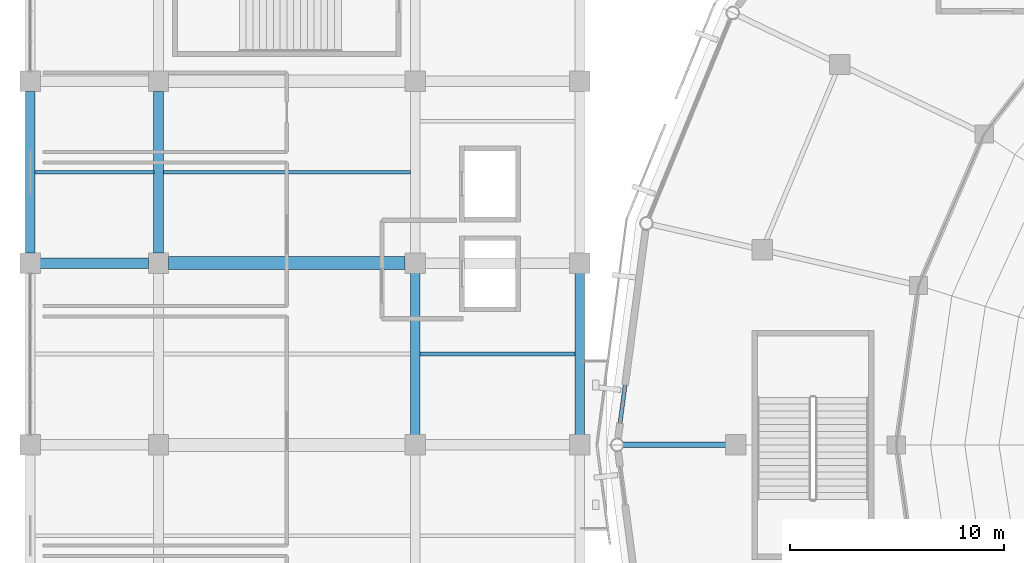
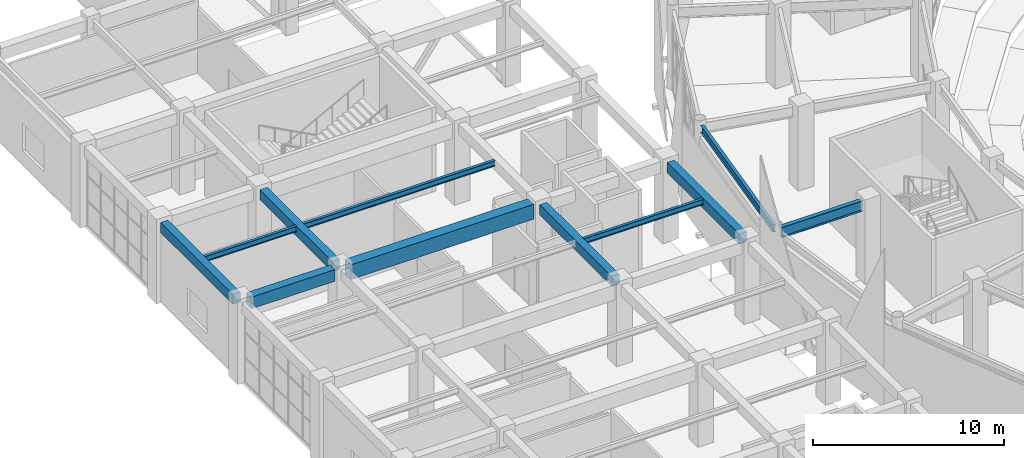
# One storey, part 32 of 120: 11 beams.
"""IFC4 building model written with IfcOpenShell, lengths in metres."""

from ifc_helpers import new_model, si_unit, direction, frame, origin, origin_2d, place, context, subcontext, project, spatial, rectangle, i_section, extrude, material, material_profile, profile_set, type_object, element, save


model = new_model("IFC4")

# Units and contexts
model_context = context("Model", 3, precision=1e-05, world=origin(), true_north=direction((0.0, 1.0)))
body_context = subcontext(model_context, "Body", "Model", "MODEL_VIEW")
ifc_project = project(units=[si_unit("LENGTHUNIT", "METRE"), si_unit("AREAUNIT", "SQUARE_METRE"), si_unit("VOLUMEUNIT", "CUBIC_METRE"), si_unit("PLANEANGLEUNIT", "RADIAN"), si_unit("MASSUNIT", "GRAM", prefix="KILO")], contexts=[model_context])

# Site, building, storey
site_placement = place(None, origin())
site = spatial("IfcSite", under=ifc_project, at=site_placement, CompositionType="ELEMENT")
building_placement = place(site_placement, origin())
building = spatial("IfcBuilding", under=site, at=building_placement, Name="Cuetzalor Civic Arena", CompositionType="ELEMENT")
storey_placement = place(building_placement, frame((0.0, 0.0, 6.0)))
storey = spatial("IfcBuildingStorey", under=building, at=storey_placement, Name="L01", CompositionType="ELEMENT", Elevation=6.0)

# Beams
ifc_material_1 = material(Name="Concrete C40/50", Category="concrete")
ifc_material_profile_1 = material_profile(ifc_material_1, rectangle(XDim=0.5, YDim=0.75, at=origin_2d()), Name="RC 500x750")
ifc_profile_set_1 = profile_set([ifc_material_profile_1], Name="Concrete C40/50")
beam_type_1 = type_object("IfcBeamType", Name="ConcreteFrameBeam_500x750", PredefinedType="BEAM", material=ifc_profile_set_1)
beam_1_placement = place(storey_placement, frame((-81.534912109375, 8.5, 4.7451171875), z_axis=(1.0, 0.0, 0.0), x_axis=(0.0, 1.0, 0.0)))
element("IfcBeam", 1, at=beam_1_placement, inside=storey, type_object=beam_type_1, Name="Frame Girder V4W-L01-X0369", PredefinedType="BEAM", context=body_context, shape_type="SweptSolid", body=[
    extrude(rectangle(XDim=0.5, YDim=0.75, at=origin_2d()), origin(), (0.0, 0.0, 1.0), 5.06982421875),
])
ifc_material_2 = material(Name="Concrete C40/50", Category="concrete")
ifc_material_profile_2 = material_profile(ifc_material_2, rectangle(XDim=0.60009765625, YDim=0.949951171875, at=origin_2d()), Name="RC 600x950")
ifc_profile_set_2 = profile_set([ifc_material_profile_2], Name="Concrete C40/50")
beam_type_2 = type_object("IfcBeamType", Name="ConcreteFrameBeam_600x950", PredefinedType="BEAM", material=ifc_profile_set_2)
beam_2_placement = place(storey_placement, frame((-75.534912109375, 8.5, 4.64501953125), z_axis=(1.0, 0.0, 0.0), x_axis=(0.0, 1.0, 0.0)))
element("IfcBeam", 2, at=beam_2_placement, inside=storey, type_object=beam_type_2, Name="Frame Girder V4W-L01-X0370", PredefinedType="BEAM", context=body_context, shape_type="SweptSolid", body=[
    extrude(rectangle(XDim=0.60009765625, YDim=0.949951171875, at=origin_2d()), origin(), (0.0, 0.0, 1.0), 11.06982421875),
])
ifc_material_3 = material(Name="Concrete C40/50", Category="concrete")
ifc_material_profile_3 = material_profile(ifc_material_3, rectangle(XDim=0.449951171875, YDim=0.64990234375, at=origin_2d()), Name="RC 450x650")
ifc_profile_set_3 = profile_set([ifc_material_profile_3], Name="Concrete C40/50")
beam_type_3 = type_object("IfcBeamType", Name="ConcreteTieBeam_450x650", PredefinedType="BEAM", material=ifc_profile_set_3)
for number, where, z_axis, x_axis, name in (
    (3, (-82.0, 8.965087890625, 4.794921875), (0.0, 1.0, 0.0), (-1.0, 0.0, 0.0), "Frame Girder V4W-L01-Y0388"),
    (4, (-76.0, 8.965087890625, 4.794921875), (0.0, 1.0, 0.0), (-1.0, 0.0, 0.0), "Frame Girder V4W-L01-Y0398"),
    (5, (-64.0, 0.465087890625, 4.794921875), (0.0, 1.0, 0.0), (-1.0, 0.0, 0.0), "Frame Girder V4W-L01-Y0407"),
    (6, (-56.300048828125, 0.465087890625, 4.794921875), (0.0, 1.0, 0.0), (-1.0, 0.0, 0.0), "Frame Girder V4W-L01-Y0417"),
):
    element("IfcBeam", number, at=place(storey_placement, frame(where, z_axis=z_axis, x_axis=x_axis)), inside=storey, type_object=beam_type_3, Name=name, PredefinedType="BEAM", context=body_context, shape_type="SweptSolid", body=[
        extrude(rectangle(XDim=0.449951171875, YDim=0.64990234375, at=origin_2d()), origin(), (0.0, 0.0, 1.0), 7.56982421875),
    ])
ifc_material_4 = material(Name="Steel S355", Category="steel")
ifc_material_profile_4 = material_profile(ifc_material_4, i_section(OverallWidth=0.18994140625, OverallDepth=0.45703125, WebThickness=0.009033203125, FlangeThickness=0.014404296875, at=origin_2d()), Name="W460x74")
ifc_profile_set_4 = profile_set([ifc_material_profile_4], Name="Steel S355")
beam_type_4 = type_object("IfcBeamType", Name="FacadeSpandrelBeam_W460", PredefinedType="SPANDREL", material=ifc_profile_set_4)
beam_3_placement = place(storey_placement, frame((-53.22021484375, 10.07080078125, 4.8916015625), z_axis=(-0.130901206694, -0.991395417624, 0.0), x_axis=(0.991395417624, -0.130901206694, 0.0)))
element("IfcBeam", 7, at=beam_3_placement, inside=storey, type_object=beam_type_4, Name="Drum Perimeter Spandrel L01-S14", PredefinedType="SPANDREL", context=body_context, shape_type="SweptSolid", body=[
    extrude(i_section(OverallWidth=0.18994140625, OverallDepth=0.45703125, WebThickness=0.009033203125, FlangeThickness=0.014404296875, at=origin_2d()), origin(), (0.0, 0.0, 1.0), 9.8681640625),
])
ifc_material_5 = material(Name="Steel S355", Category="steel")
ifc_material_profile_5 = material_profile(ifc_material_5, i_section(OverallWidth=0.1708984375, OverallDepth=0.35498046875, WebThickness=0.007080078125, FlangeThickness=0.01171875, at=origin_2d()), Name="W360x51")
ifc_profile_set_5 = profile_set([ifc_material_profile_5], Name="Steel S355")
beam_type_5 = type_object("IfcBeamType", Name="SecondaryFloorJoist_W360", PredefinedType="JOIST", material=ifc_profile_set_5)
beam_4_placement = place(storey_placement, frame((-81.782958984375, 12.75, 4.9423828125), z_axis=(1.0, 0.0, 0.0), x_axis=(0.0, 1.0, 0.0)))
element("IfcBeam", 8, at=beam_4_placement, inside=storey, type_object=beam_type_5, Name="Secondary Floor Joist V4W-L01-0112", PredefinedType="JOIST", context=body_context, shape_type="SweptSolid", body=[
    extrude(i_section(OverallWidth=0.1708984375, OverallDepth=0.35498046875, WebThickness=0.007080078125, FlangeThickness=0.01171875, at=origin_2d()), origin(), (0.0, 0.0, 1.0), 5.56591796875),
])
beam_5_placement = place(storey_placement, frame((-75.782958984375, 12.75, 4.9423828125), z_axis=(1.0, 0.0, 0.0), x_axis=(0.0, 1.0, 0.0)))
element("IfcBeam", 9, at=beam_5_placement, inside=storey, type_object=beam_type_5, Name="Secondary Floor Joist V4W-L01-0120", PredefinedType="JOIST", context=body_context, shape_type="SweptSolid", body=[
    extrude(i_section(OverallWidth=0.1708984375, OverallDepth=0.35498046875, WebThickness=0.007080078125, FlangeThickness=0.01171875, at=origin_2d()), origin(), (0.0, 0.0, 1.0), 11.56591796875),
])
beam_6_placement = place(storey_placement, frame((-63.782958984375, 4.25, 4.9423828125), z_axis=(1.0, 0.0, 0.0), x_axis=(0.0, 1.0, 0.0)))
element("IfcBeam", 10, at=beam_6_placement, inside=storey, type_object=beam_type_5, Name="Secondary Floor Joist V4W-L01-0127", PredefinedType="JOIST", context=body_context, shape_type="SweptSolid", body=[
    extrude(i_section(OverallWidth=0.1708984375, OverallDepth=0.35498046875, WebThickness=0.007080078125, FlangeThickness=0.01171875, at=origin_2d()), origin(), (0.0, 0.0, 1.0), 7.265869140625),
])
ifc_material_6 = material(Name="Steel S355", Category="steel")
ifc_material_profile_6 = material_profile(ifc_material_6, i_section(OverallWidth=0.2529296875, OverallDepth=0.677978515625, WebThickness=0.01171875, FlangeThickness=0.016357421875, at=origin_2d()), Name="W690x125")
ifc_profile_set_6 = profile_set([ifc_material_profile_6], Name="Steel S355")
beam_type_6 = type_object("IfcBeamType", Name="SteelPrimaryGirder_W690", PredefinedType="BEAM", material=ifc_profile_set_6)
beam_7_placement = place(storey_placement, frame((-49.360107421875, 0.0, 4.781005859375), z_axis=(-1.0, 0.0, 0.0), x_axis=(0.0, -1.0, 0.0)))
element("IfcBeam", 11, at=beam_7_placement, inside=storey, type_object=beam_type_6, Name="Drum Radial Girder L01-R15", PredefinedType="BEAM", context=body_context, shape_type="SweptSolid", body=[
    extrude(i_section(OverallWidth=0.2529296875, OverallDepth=0.677978515625, WebThickness=0.01171875, FlangeThickness=0.016357421875, at=origin_2d()), origin(), (0.0, 0.0, 1.0), 4.89990234375),
])

save(model, "model.ifc")
